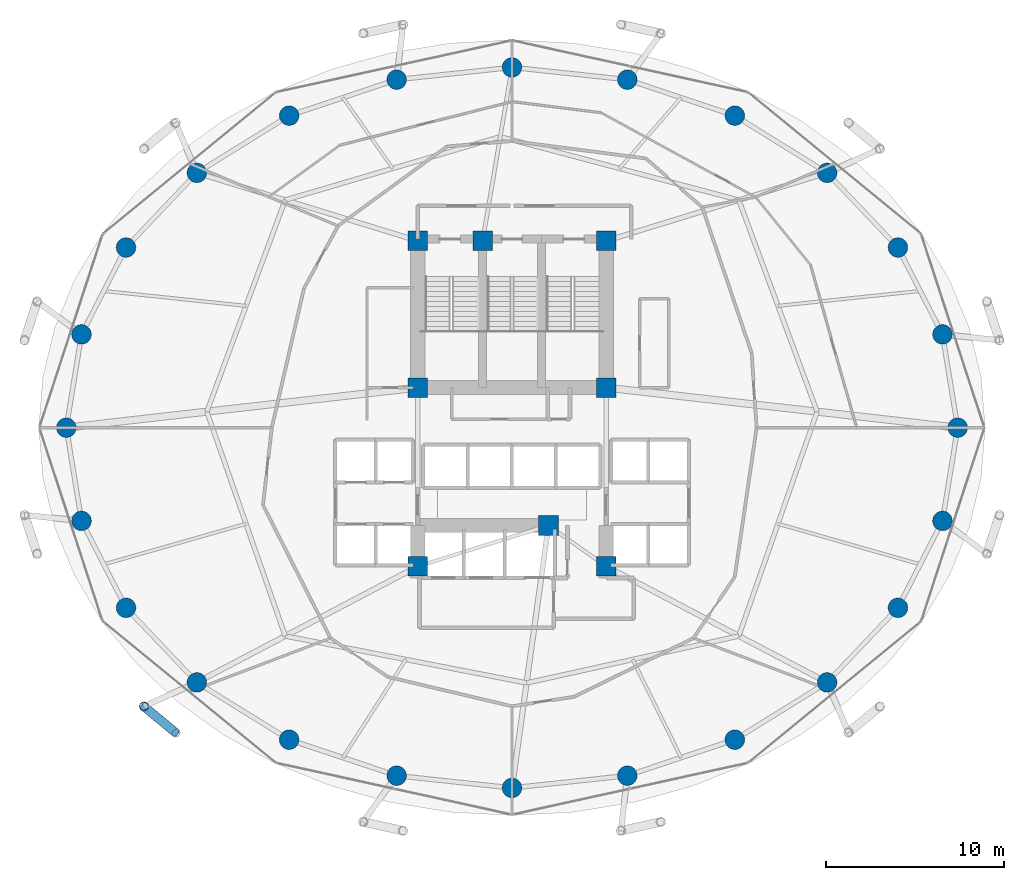
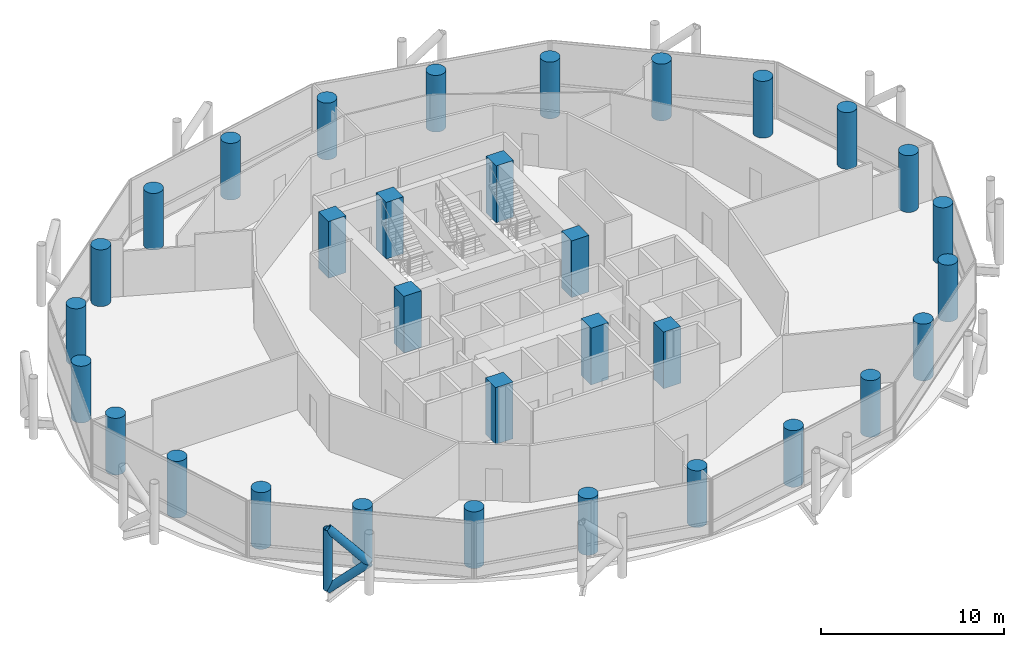
# One storey, part 1 of 25: 32 columns, 3 members.
"""IFC4 building model written with IfcOpenShell, lengths in metres."""

import ifcopenshell
import ifcopenshell.guid

model = None  # the IFC model being written
_history = None  # IfcOwnerHistory: only IFC2X3 demands one
_inside = {}  # id of a spatial element -> (the spatial element, [elements in it])
_under = {}  # id of a project, library or spatial element -> (it, [spatial elements below it])
_declared = {}  # id of a project -> (the project, [libraries it declares])
_typed = {}  # id of a type object -> (the type object, [elements of that type])
_made_of = {}  # id of a material, layer set ... -> (it, [elements and type objects made of it])


def new_model(schema):
    """Start an empty IFC model of exactly this schema.

    Asked for "IFC4X3", IfcOpenShell would pick the latest addendum, in which some entities
    have other attributes; the version numbers below select the first issue.
    IFC2X3 requires an IfcOwnerHistory on every rooted entity: one is made here for all.
    """
    global model, _history
    if schema == "IFC4X3":
        model = ifcopenshell.file(schema_version=(4, 3, 0, 0))
    else:
        model = ifcopenshell.file(schema=schema)
    _inside.clear()
    _under.clear()
    _declared.clear()
    _typed.clear()
    _made_of.clear()
    _history = None
    if model.schema == "IFC2X3":
        org = make("IfcOrganization", Name="unknown")
        user = make(
            "IfcPersonAndOrganization",
            ThePerson=make("IfcPerson", FamilyName="unknown"),
            TheOrganization=org,
        )
        app = make(
            "IfcApplication",
            ApplicationDeveloper=org,
            Version="unknown",
            ApplicationFullName="unknown",
            ApplicationIdentifier="unknown",
        )
        _history = make(
            "IfcOwnerHistory",
            OwningUser=user,
            OwningApplication=app,
            ChangeAction="ADDED",
            CreationDate=0,
        )
    return model


def make(cls, **values):
    """One entity of the class cls with the attributes given. An attribute that is None is left unset."""
    return model.create_entity(
        cls, **{name: value for name, value in values.items() if value is not None}
    )


def rooted(cls, **values):
    """An entity with a GlobalId (a new one), such as an element, a storey or a relation."""
    return make(cls, GlobalId=ifcopenshell.guid.new(), OwnerHistory=_history, **values)


def si_unit(unit_type, name, prefix=None):
    """IfcSIUnit, for example si_unit("LENGTHUNIT", "METRE", prefix="MILLI")."""
    return make("IfcSIUnit", UnitType=unit_type, Prefix=prefix, Name=name)


def assignment(units):
    """IfcUnitAssignment: the units of a project."""
    return None if units is None else make("IfcUnitAssignment", Units=units)


def point(xyz):
    """IfcCartesianPoint."""
    return None if xyz is None else make("IfcCartesianPoint", Coordinates=xyz)


def direction(xyz):
    """IfcDirection."""
    return None if xyz is None else make("IfcDirection", DirectionRatios=xyz)


def frame(location, z_axis=None, x_axis=None):
    """IfcAxis2Placement3D, a coordinate frame: its origin and axes. An axis left out is left unset."""
    return make(
        "IfcAxis2Placement3D",
        Location=point(location),
        Axis=direction(z_axis),
        RefDirection=direction(x_axis),
    )


def frame_2d(location, x_axis=None):
    """IfcAxis2Placement2D, a coordinate frame in the plane: its origin and x axis."""
    return make(
        "IfcAxis2Placement2D", Location=point(location), RefDirection=direction(x_axis)
    )


def origin():
    """The frame at (0, 0, 0) with its axes left unset."""
    return frame((0.0, 0.0, 0.0))


def origin_2d():
    """The frame at (0, 0) in the plane with its x axis left unset."""
    return frame_2d((0.0, 0.0))


def place(relative_to, where):
    """IfcLocalPlacement: puts the frame where relative to a parent placement (None: the world)."""
    return make(
        "IfcLocalPlacement", PlacementRelTo=relative_to, RelativePlacement=where
    )


def context(
    kind, dimensions, precision=None, world=None, true_north=None, identifier=None
):
    """IfcGeometricRepresentationContext, for example the 3D "Model" context."""
    return make(
        "IfcGeometricRepresentationContext",
        ContextIdentifier=identifier,
        ContextType=kind,
        CoordinateSpaceDimension=dimensions,
        Precision=precision,
        WorldCoordinateSystem=world,
        TrueNorth=true_north,
    )


def subcontext(parent, identifier, kind, view, scale=None):
    """IfcGeometricRepresentationSubContext, for example "Body" below "Model"."""
    return make(
        "IfcGeometricRepresentationSubContext",
        ContextIdentifier=identifier,
        ContextType=kind,
        ParentContext=parent,
        TargetScale=scale,
        TargetView=view,
    )


def project(units=None, contexts=None):
    """IfcProject with its units and contexts."""
    return rooted(
        "IfcProject",
        Name="project",
        RepresentationContexts=contexts,
        UnitsInContext=assignment(units),
    )


def spatial(cls, under=None, at=None, **own):
    """A site, building, storey or space (cls), placed at a placement, below another one or the project."""
    s = rooted(cls, ObjectPlacement=at, **own)
    if under is not None:
        _under.setdefault(under.id(), (under, []))[1].append(s)
    return s


def profile(cls, at=None, kind="AREA", **sizes):
    """A parametric profile (cls). Its sizes go by their IFC names, for example OverallWidth=200.0."""
    return make(cls, ProfileType=kind, Position=at, **sizes)


def rectangle(**sizes):
    """IfcRectangleProfileDef."""
    return profile("IfcRectangleProfileDef", **sizes)


def circle(**sizes):
    """IfcCircleProfileDef."""
    return profile("IfcCircleProfileDef", **sizes)


def hollow_circle(**sizes):
    """IfcCircleHollowProfileDef."""
    return profile("IfcCircleHollowProfileDef", **sizes)


def extrude(swept, where, along, depth):
    """IfcExtrudedAreaSolid: the profile swept, set in the frame where, extruded along a direction by depth."""
    return make(
        "IfcExtrudedAreaSolid",
        SweptArea=swept,
        Position=where,
        ExtrudedDirection=direction(along),
        Depth=depth,
    )


def shape(context_of_items, identifier, shape_type, items):
    """IfcShapeRepresentation: the items that make up one representation, for example the "Body"."""
    return make(
        "IfcShapeRepresentation",
        ContextOfItems=context_of_items,
        RepresentationIdentifier=identifier,
        RepresentationType=shape_type,
        Items=items,
    )


def material(Name=None, Category=None):
    """IfcMaterial."""
    return make("IfcMaterial", Name=Name, Category=Category)


def material_profile(
    of_material, cross_section, Name=None, Category=None, Priority=None
):
    """IfcMaterialProfile: a cross section and its material."""
    return make(
        "IfcMaterialProfile",
        Name=Name,
        Material=of_material,
        Profile=cross_section,
        Priority=Priority,
        Category=Category,
    )


def profile_set(profiles, Name=None, composite=None):
    """IfcMaterialProfileSet."""
    return make(
        "IfcMaterialProfileSet",
        Name=Name,
        MaterialProfiles=profiles,
        CompositeProfile=composite,
    )


def made_of(thing, what):
    """Note that an element or type object is made of a material, layer set ...; save() writes the relation."""
    if what is not None:
        _made_of.setdefault(what.id(), (what, []))[1].append(thing)
    return thing


def type_object(cls, material=None, **own):
    """A type object (cls), such as IfcWallType, which elements share."""
    return made_of(rooted(cls, **own), material)


def element(
    cls,
    number,
    at=None,
    inside=None,
    cuts=None,
    type_object=None,
    material=None,
    context=None,
    identifier="Body",
    shape_type=None,
    held_by="IfcProductDefinitionShape",
    body=None,
    shapes=None,
    **own,
):
    """One element of the class cls, such as IfcWall. Its Tag is "e" and its number.

    at: its placement. inside: the storey or other place that contains it. cuts: it is an
    opening in that element (IfcRelVoidsElement). A single representation is given by context,
    identifier, shape_type and body (its items); several are given by shapes. held_by: the class
    of the entity that holds the representations. save() writes the other relations.
    """
    e = rooted(cls, Tag="e%d" % number, ObjectPlacement=at, **own)
    if body is not None:
        shapes = [shape(context, identifier, shape_type, body)]
    if shapes is not None:
        e.Representation = make(held_by, Representations=shapes)
    if inside is not None:
        _inside.setdefault(inside.id(), (inside, []))[1].append(e)
    if cuts is not None:
        rooted(
            "IfcRelVoidsElement", RelatingBuildingElement=cuts, RelatedOpeningElement=e
        )
    if type_object is not None:
        _typed.setdefault(type_object.id(), (type_object, []))[1].append(e)
    return made_of(e, material)


def aggregate(whole, parts):
    """IfcRelAggregates: a whole, such as a stair, and the parts it consists of."""
    return rooted("IfcRelAggregates", RelatingObject=whole, RelatedObjects=parts)


def save(model, path):
    """Write the relations noted so far, then the file.

    IfcRelAggregates (storeys below a building ...), IfcRelContainedInSpatialStructure (elements
    in a storey), IfcRelDefinesByType, IfcRelAssociatesMaterial and IfcRelDeclares: one each for
    every whole, place, type object, material and project.
    """
    for whole, parts in _under.values():
        aggregate(whole, parts)
    for where, things in _inside.values():
        rooted(
            "IfcRelContainedInSpatialStructure",
            RelatedElements=things,
            RelatingStructure=where,
        )
    for kind, things in _typed.values():
        rooted("IfcRelDefinesByType", RelatedObjects=things, RelatingType=kind)
    for what, things in _made_of.values():
        rooted("IfcRelAssociatesMaterial", RelatedObjects=things, RelatingMaterial=what)
    for by, libraries in _declared.values():
        rooted("IfcRelDeclares", RelatingContext=by, RelatedDefinitions=libraries)
    model.write(path)


model = new_model("IFC4")

# Units and contexts
model_context = context("Model", 3, precision=1e-05, world=origin(), true_north=direction((0.0, 1.0)))
body_context = subcontext(model_context, "Body", "Model", "MODEL_VIEW")
ifc_project = project(units=[si_unit("LENGTHUNIT", "METRE"), si_unit("AREAUNIT", "SQUARE_METRE"), si_unit("VOLUMEUNIT", "CUBIC_METRE"), si_unit("PLANEANGLEUNIT", "RADIAN"), si_unit("MASSUNIT", "GRAM", prefix="KILO")], contexts=[model_context])

# Site, building, storey
site_placement = place(None, origin())
site = spatial("IfcSite", under=ifc_project, at=site_placement, CompositionType="ELEMENT")
building_placement = place(site_placement, origin())
building = spatial("IfcBuilding", under=site, at=building_placement, Name="Nuhasar Tower", CompositionType="ELEMENT")
storey_placement = place(building_placement, frame((0.0, 0.0, 45.300048828125)))
storey = spatial("IfcBuildingStorey", under=building, at=storey_placement, Name="L10", CompositionType="ELEMENT", Elevation=45.300048828125)

# Columns
ifc_material_1 = material(Name="Concrete C80/95", Category="concrete")
ifc_material_profile_1 = material_profile(ifc_material_1, circle(Radius=0.550048828125, at=origin_2d()), Name="CFT1100")
ifc_profile_set_1 = profile_set([ifc_material_profile_1], Name="Concrete C80/95")
column_type_1 = type_object("IfcColumnType", Name="COL-CFT-1100", PredefinedType="COLUMN", material=ifc_profile_set_1)
for number, where, z_axis, x_axis, name in (
    (1, (64.050048828125, 26.800048828125, 0.0), (0.0, 0.0, 1.0), (1.0, 0.0, 0.0), "L10 Perimeter Composite Column TC-01"),
    (2, (63.196044921875, 32.041015625, 0.0), (0.0, 0.0, 1.0), (1.0, 0.0, 0.0), "L10 Perimeter Composite Column TC-02"),
    (3, (60.694091796875, 36.925048828125, 0.0), (0.0, 0.0, 1.0), (1.0, 0.0, 0.0), "L10 Perimeter Composite Column TC-03"),
    (4, (56.712890625, 41.118896484375, 0.0), (0.0, 0.0, 1.0), (1.0, 0.0, 0.0), "L10 Perimeter Composite Column TC-04"),
    (5, (51.52490234375, 44.3369140625, 0.0), (0.0, 0.0, 1.0), (1.0, 0.0, 0.0), "L10 Perimeter Composite Column TC-05"),
    (6, (45.48291015625, 46.360107421875, 0.0), (0.0, 0.0, 1.0), (1.0, 0.0, 0.0), "L10 Perimeter Composite Column TC-06"),
    (7, (39.0, 47.050048828125, 0.0), (0.0, 0.0, 1.0), (1.0, 0.0, 0.0), "L10 Perimeter Composite Column TC-07"),
    (8, (32.51708984375, 46.360107421875, 0.0), (0.0, 0.0, 1.0), (1.0, 0.0, 0.0), "L10 Perimeter Composite Column TC-08"),
    (9, (26.47509765625, 44.3369140625, 0.0), (0.0, 0.0, 1.0), (1.0, 0.0, 0.0), "L10 Perimeter Composite Column TC-09"),
    (10, (21.287109375, 41.118896484375, 0.0), (0.0, 0.0, 1.0), (1.0, 0.0, 0.0), "L10 Perimeter Composite Column TC-10"),
    (11, (17.305908203125, 36.925048828125, 0.0), (0.0, 0.0, 1.0), (1.0, 0.0, 0.0), "L10 Perimeter Composite Column TC-11"),
    (12, (14.803955078125, 32.041015625, 0.0), (0.0, 0.0, 1.0), (1.0, 0.0, 0.0), "L10 Perimeter Composite Column TC-12"),
    (13, (13.949951171875, 26.800048828125, 0.0), (0.0, 0.0, 1.0), (1.0, 0.0, 0.0), "L10 Perimeter Composite Column TC-13"),
    (14, (14.803955078125, 21.55908203125, 0.0), (0.0, 0.0, 1.0), (1.0, 0.0, 0.0), "L10 Perimeter Composite Column TC-14"),
    (15, (17.305908203125, 16.675048828125, 0.0), (0.0, 0.0, 1.0), (1.0, 0.0, 0.0), "L10 Perimeter Composite Column TC-15"),
    (16, (21.287109375, 12.48095703125, 0.0), (0.0, 0.0, 1.0), (1.0, 0.0, 0.0), "L10 Perimeter Composite Column TC-16"),
    (17, (26.47509765625, 9.262939453125, 0.0), (0.0, 0.0, 1.0), (1.0, 0.0, 0.0), "L10 Perimeter Composite Column TC-17"),
    (18, (32.51708984375, 7.239990234375, 0.0), (0.0, 0.0, 1.0), (1.0, 0.0, 0.0), "L10 Perimeter Composite Column TC-18"),
    (19, (39.0, 6.550048828125, 0.0), (0.0, 0.0, 1.0), (1.0, 0.0, 0.0), "L10 Perimeter Composite Column TC-19"),
    (20, (45.48291015625, 7.239990234375, 0.0), (0.0, 0.0, 1.0), (1.0, 0.0, 0.0), "L10 Perimeter Composite Column TC-20"),
    (21, (51.52490234375, 9.262939453125, 0.0), (0.0, 0.0, 1.0), (1.0, 0.0, 0.0), "L10 Perimeter Composite Column TC-21"),
    (22, (56.712890625, 12.48095703125, 0.0), (0.0, 0.0, 1.0), (1.0, 0.0, 0.0), "L10 Perimeter Composite Column TC-22"),
    (23, (60.694091796875, 16.675048828125, 0.0), (0.0, 0.0, 1.0), (1.0, 0.0, 0.0), "L10 Perimeter Composite Column TC-23"),
    (24, (63.196044921875, 21.55908203125, 0.0), (0.0, 0.0, 1.0), (1.0, 0.0, 0.0), "L10 Perimeter Composite Column TC-24"),
):
    element("IfcColumn", number, at=place(storey_placement, frame(where, z_axis=z_axis, x_axis=x_axis)), inside=storey, type_object=column_type_1, Name=name, PredefinedType="COLUMN", context=body_context, shape_type="SweptSolid", body=[
        extrude(circle(Radius=0.550048828125, at=origin_2d()), origin(), (0.0, 0.0, 1.0), 3.7900390625),
    ])
ifc_material_profile_2 = material_profile(ifc_material_1, rectangle(XDim=1.10009765625, YDim=1.10009765625, at=origin_2d()), Name="RC1100X1100")
ifc_profile_set_2 = profile_set([ifc_material_profile_2], Name="Concrete C80/95")
column_type_2 = type_object("IfcColumnType", Name="PIL-RC-1100", PredefinedType="PILASTER", material=ifc_profile_set_2)
for number, where, z_axis, x_axis, name in (
    (25, (33.699951171875, 19.0, 0.0), (0.0, 0.0, 1.0), (1.0, 0.0, 0.0), "L10 Core Boundary Pilaster CC-01"),
    (26, (41.050048828125, 21.300048828125, 0.0), (0.0, 0.0, 1.0), (1.0, 0.0, 0.0), "L10 Core Boundary Pilaster CC-02"),
    (27, (44.300048828125, 19.0, 0.0), (0.0, 0.0, 1.0), (1.0, 0.0, 0.0), "L10 Core Boundary Pilaster CC-03"),
    (28, (44.300048828125, 29.050048828125, 0.0), (0.0, 0.0, 1.0), (1.0, 0.0, 0.0), "L10 Core Boundary Pilaster CC-04"),
    (29, (44.300048828125, 37.300048828125, 0.0), (0.0, 0.0, 1.0), (1.0, 0.0, 0.0), "L10 Core Boundary Pilaster CC-05"),
    (30, (37.35009765625, 37.300048828125, 0.0), (0.0, 0.0, 1.0), (1.0, 0.0, 0.0), "L10 Core Boundary Pilaster CC-06"),
    (31, (33.699951171875, 37.300048828125, 0.0), (0.0, 0.0, 1.0), (1.0, 0.0, 0.0), "L10 Core Boundary Pilaster CC-07"),
    (32, (33.699951171875, 29.050048828125, 0.0), (0.0, 0.0, 1.0), (1.0, 0.0, 0.0), "L10 Core Boundary Pilaster CC-08"),
):
    element("IfcColumn", number, at=place(storey_placement, frame(where, z_axis=z_axis, x_axis=x_axis)), inside=storey, type_object=column_type_2, Name=name, PredefinedType="PILASTER", context=body_context, shape_type="SweptSolid", body=[
        extrude(rectangle(XDim=1.10009765625, YDim=1.10009765625, at=origin_2d()), origin(), (0.0, 0.0, 1.0), 3.7900390625),
    ])

# Members
ifc_material_2 = material(Name="Steel S460", Category="steel")
ifc_material_profile_3 = material_profile(ifc_material_2, hollow_circle(Radius=0.25390625, WallThickness=0.025390625, at=origin_2d()), Name="HSS508X25.4")
ifc_profile_set_3 = profile_set([ifc_material_profile_3], Name="Steel S460")
member_type = type_object("IfcMemberType", Name="EXO-BRONZE-508", PredefinedType="BRACE", material=ifc_profile_set_3)
member_1_placement = place(storey_placement, frame((18.31494140625, 11.12890625, 0.0), z_axis=(0.0, 0.0, 1.0), x_axis=(1.0, 0.0, 0.0)))
element("IfcMember", 33, at=member_1_placement, inside=storey, type_object=member_type, Name="L10 Exoskeleton Chord Column EC-08A", PredefinedType="BRACE", context=body_context, shape_type="SweptSolid", body=[
    extrude(hollow_circle(Radius=0.25390625, WallThickness=0.025390625, at=origin_2d()), origin(), (0.0, 0.0, 1.0), 4.050048828125),
])
member_2_placement = place(storey_placement, frame((18.31494140625, 11.12890625, 0.0), z_axis=(0.578101613167, -0.478937034992, 0.660619286251), x_axis=(0.637969333506, 0.770061769929, 0.0)))
element("IfcMember", 34, at=member_2_placement, inside=storey, type_object=member_type, Name="L10 Bronze Diagrid Brace W1-08", PredefinedType="BRACE", context=body_context, shape_type="SweptSolid", body=[
    extrude(hollow_circle(Radius=0.25390625, WallThickness=0.025390625, at=origin_2d()), origin(), (0.0, 0.0, 1.0), 3.065185546875),
])
member_3_placement = place(storey_placement, frame((20.0869140625, 9.660888671875, 2.02490234375), z_axis=(-0.578071194894, 0.478911834514, 0.660664172175), x_axis=(-0.637969333506, -0.770061769929, 0.0)))
element("IfcMember", 35, at=member_3_placement, inside=storey, type_object=member_type, Name="L10 Bronze Diagrid Brace W2-08", PredefinedType="BRACE", context=body_context, shape_type="SweptSolid", body=[
    extrude(hollow_circle(Radius=0.25390625, WallThickness=0.025390625, at=origin_2d()), origin(), (0.0, 0.0, 1.0), 3.0654296875),
])

save(model, "model.ifc")
